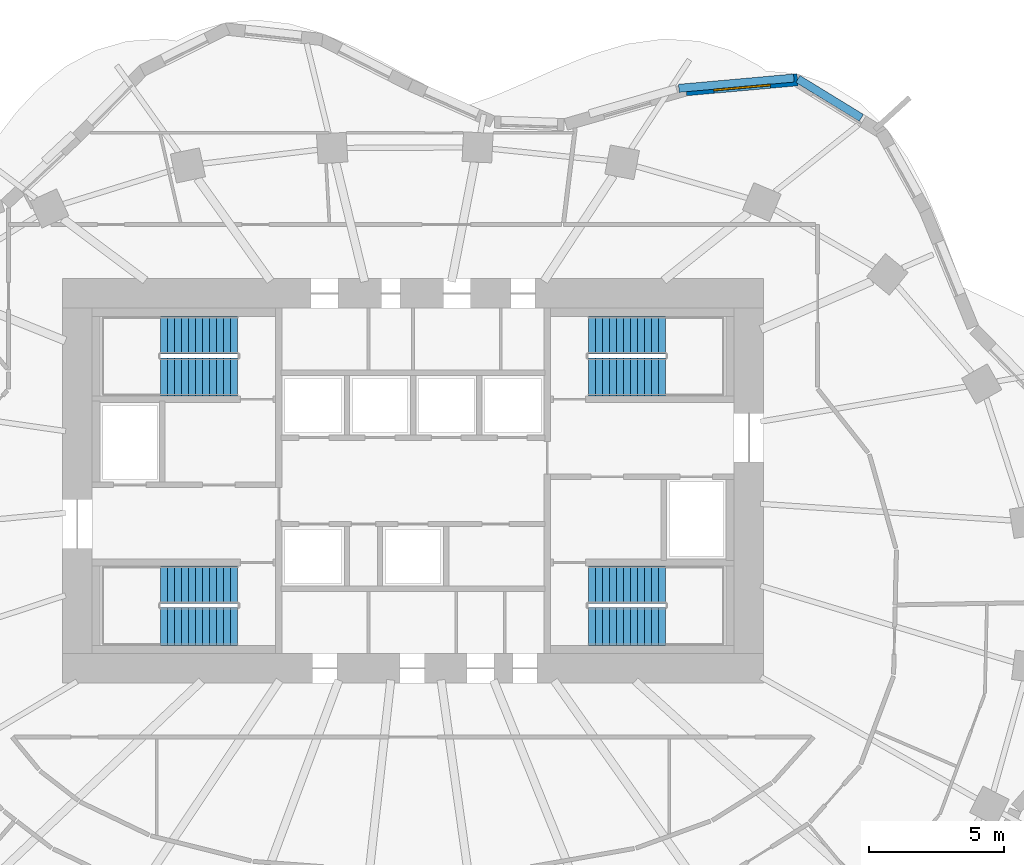
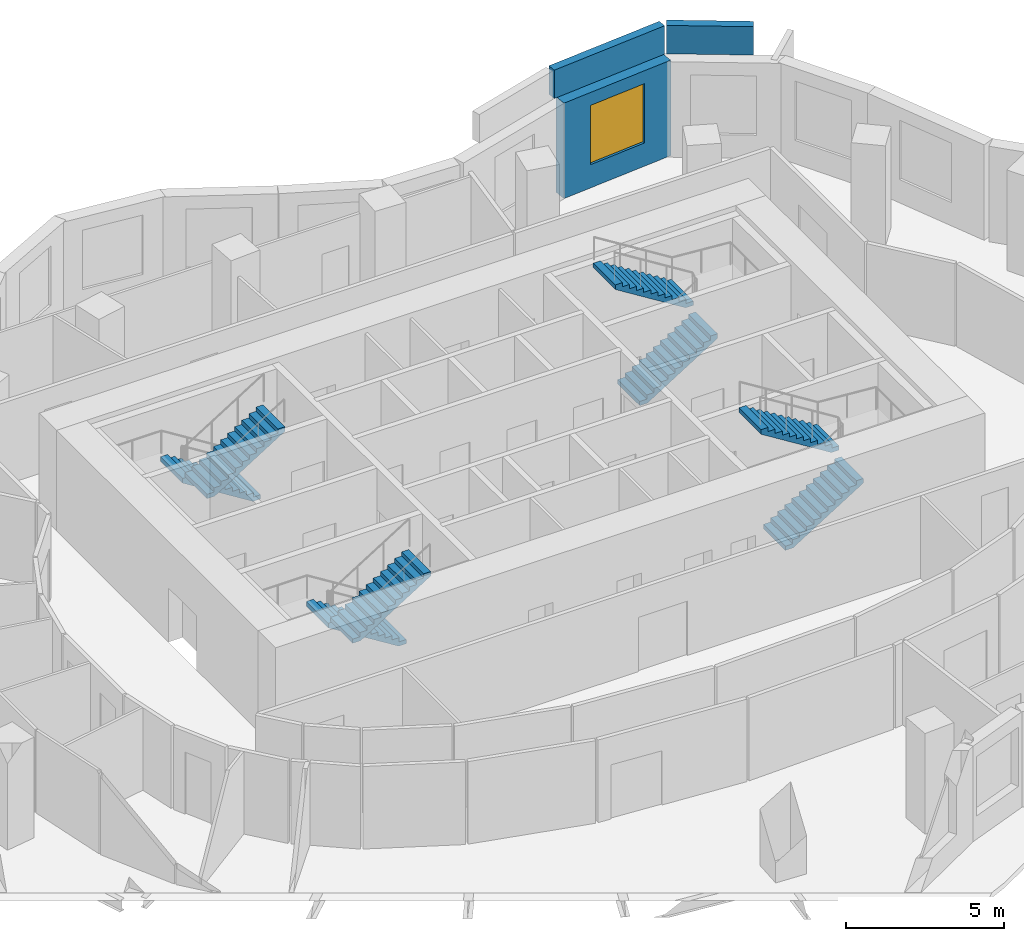
# One storey, part 9 of 10: 8 stair flights, 3 walls, 1 window, 1 opening, 4 elements without a shape of their own.
"""IFC4 building model written with IfcOpenShell, lengths in metres."""

from ifc_helpers import new_model, si_unit, direction, frame, frame_2d, origin, place, context, subcontext, project, spatial, polyline, rectangle, outline, extrude, material, layer, layer_set, type_object, element, fill, aggregate, save


model = new_model("IFC4")

# Units and contexts
model_context = context("Model", 3, precision=1e-05, world=origin(), true_north=direction((0.0, 1.0)))
body_context = subcontext(model_context, "Body", "Model", "MODEL_VIEW")
ifc_project = project(units=[si_unit("LENGTHUNIT", "METRE"), si_unit("AREAUNIT", "SQUARE_METRE"), si_unit("VOLUMEUNIT", "CUBIC_METRE"), si_unit("PLANEANGLEUNIT", "RADIAN"), si_unit("MASSUNIT", "GRAM", prefix="KILO")], contexts=[model_context])

# Site, building, storey
site_placement = place(None, origin())
site = spatial("IfcSite", under=ifc_project, at=site_placement, CompositionType="ELEMENT")
building_placement = place(site_placement, origin())
building = spatial("IfcBuilding", under=site, at=building_placement, Name="Rubra Terraces Tower", CompositionType="ELEMENT")
storey_placement = place(building_placement, frame((0.0, 0.0, 161.699951171875)))
storey = spatial("IfcBuildingStorey", under=building, at=storey_placement, Name="L39", CompositionType="ELEMENT", Elevation=161.699951171875)

# Wall, opening, window
ifc_material_1 = material(Name="Brick masonry red-brown", Category="masonry")
ifc_layer_1 = layer(ifc_material_1, 0.449951171875)
ifc_layer_set_1 = layer_set([ifc_layer_1], Name="Brick masonry red-brown")
wall_type_1 = type_object("IfcWallType", Name="Brick facade wall 450", PredefinedType="SOLIDWALL", material=ifc_layer_set_1)
wall_1_placement = place(storey_placement, frame((14.25390625, 19.367919921875, 0.0), z_axis=(0.0, 0.0, 1.0), x_axis=(-0.996031553729, -0.089000808852, 0.0)))
wall_1 = element("IfcWall", 1, at=wall_1_placement, inside=storey, type_object=wall_type_1, Name="Facade wall L39 bay 7", PredefinedType="SOLIDWALL", context=body_context, shape_type="SweptSolid", body=[
    extrude(rectangle(XDim=4.144775390625, YDim=0.449951171875, at=frame_2d((2.072265625, 0.0))), origin(), (0.0, 0.0, 1.0), 3.699951171875),
])
opening_placement = place(wall_1_placement, frame((1.0224609375, 0.0, 0.89990234375)))
opening = element("IfcOpeningElement", 2, at=opening_placement, cuts=wall_1, Name="Opening W1B", PredefinedType="OPENING", context=body_context, shape_type="SweptSolid", body=[
    extrude(rectangle(XDim=2.10009765625, YDim=2.300048828125, at=frame_2d((1.050048828125, 1.14990234375))), frame((0.0, 0.23486328125, 0.0), z_axis=(0.0, -1.0, 0.0), x_axis=(1.0, 0.0, 0.0)), (0.0, 0.0, 1.0), 0.469970703125),
])
ifc_material_2 = material(Name="Clear glass in aluminium frame", Category="aluminium")
window_type = type_object("IfcWindowType", Name="Fixed deep-set window tall storey 2100 x 2300", PartitioningType="SINGLE_PANEL", PredefinedType="WINDOW", material=ifc_material_2)
window_placement = place(opening_placement, origin())
window = element("IfcWindow", 3, at=window_placement, inside=storey, type_object=window_type, Name="Window L39 bay 7", OverallHeight=2.300048828125, OverallWidth=2.10009765625, PartitioningType="SINGLE_PANEL", PredefinedType="WINDOW", context=body_context, shape_type="SweptSolid", body=[
    extrude(rectangle(XDim=2.10009765625, YDim=2.300048828125, at=frame_2d((1.050048828125, 1.14990234375))), frame((0.0, 0.135009765625, 0.0), z_axis=(0.0, -1.0, 0.0), x_axis=(1.0, 0.0, 0.0)), (0.0, 0.0, 1.0), 0.06005859375),
])
fill(opening, window)

# Walls
ifc_layer_2 = layer(ifc_material_1, 0.300048828125)
ifc_layer_set_2 = layer_set([ifc_layer_2], Name="Brick masonry red-brown")
wall_type_2 = type_object("IfcWallType", Name="Brick parapet 300", PredefinedType="PARAPET", material=ifc_layer_set_2)
wall_2_placement = place(storey_placement, frame((16.617431640625, 17.955322265625, 3.900146484375), z_axis=(0.0, 0.0, 1.0), x_axis=(-0.852620335105, 0.522530921732, 0.0)))
element("IfcWall", 4, at=wall_2_placement, inside=storey, type_object=wall_type_2, Name="Parapet L39 bay 6", PredefinedType="PARAPET", context=body_context, shape_type="SweptSolid", body=[
    extrude(rectangle(XDim=2.758056640625, YDim=0.300048828125, at=frame_2d((1.37890625, 0.0))), origin(), (0.0, 0.0, 1.0), 1.099853515625),
])
wall_3_placement = place(storey_placement, frame((14.11865234375, 19.43115234375, 3.900146484375), z_axis=(0.0, 0.0, 1.0), x_axis=(-0.996029858658, -0.089019776805, 0.0)))
element("IfcWall", 5, at=wall_3_placement, inside=storey, type_object=wall_type_2, Name="Parapet L39 bay 7", PredefinedType="PARAPET", context=body_context, shape_type="SweptSolid", body=[
    extrude(rectangle(XDim=4.283935546875, YDim=0.300048828125, at=frame_2d((2.14208984375, 0.0))), origin(), (0.0, 0.0, 1.0), 1.099853515625),
])

# Stair, stair flights
ifc_material_3 = material(Name="Concrete C40", Category="concrete")
stair_type = type_object("IfcStairType", Name="Core stair 1400", PredefinedType="HALF_TURN_STAIR", material=ifc_material_3)
stair_1_placement = place(storey_placement, origin())
stair_1 = element("IfcStair", 6, at=stair_1_placement, inside=storey, type_object=stair_type, Name="L39 Exit stair S1", PredefinedType="HALF_TURN_STAIR")
stair_flight_type = type_object("IfcStairFlightType", Name="Core stair flight 1400", PredefinedType="STRAIGHT", material=ifc_material_3)
stair_flight_1_placement = place(storey_placement, frame((-6.5, 0.64990234375, 0.0), z_axis=(0.0, 0.0, 1.0), x_axis=(-1.0, 0.0, 0.0)))
stair_flight_1 = element("IfcStairFlight", 7, at=stair_flight_1_placement, type_object=stair_flight_type, Name="S1 flight 1", NumberOfRisers=12, NumberOfTreads=11, PredefinedType="STRAIGHT", RiserHeight=0.1625, TreadLength=0.26, context=body_context, shape_type="SweptSolid", body=[
    extrude(outline(polyline([(0.0, 0.0), (0.0, 0.16259765625), (0.260009765625, 0.16259765625), (0.260009765625, 0.324951171875), (0.52001953125, 0.324951171875), (0.52001953125, 0.487548828125), (0.780029296875, 0.487548828125), (0.780029296875, 0.64990234375), (1.0400390625, 0.64990234375), (1.0400390625, 0.8125), (1.300048828125, 0.8125), (1.300048828125, 0.97509765625), (1.56005859375, 0.97509765625), (1.56005859375, 1.137451171875), (1.820068359375, 1.137451171875), (1.820068359375, 1.300048828125), (2.080078125, 1.300048828125), (2.080078125, 1.46240234375), (2.340087890625, 1.46240234375), (2.340087890625, 1.625), (2.60009765625, 1.625), (2.60009765625, 1.78759765625), (2.860107421875, 1.78759765625), (2.860107421875, 1.949951171875), (2.860107421875, 1.61083984375), (0.28271484375, 0.0), (0.0, 0.0)])), frame((0.0, 0.699951171875, 0.0), z_axis=(0.0, -1.0, 0.0), x_axis=(1.0, 0.0, 0.0)), (0.0, 0.0, 1.0), 1.39990234375),
])
stair_flight_2_placement = place(storey_placement, frame((-9.360107421875, -0.89990234375, 1.949951171875), z_axis=(0.0, 0.0, 1.0), x_axis=(1.0, 0.0, 0.0)))
stair_flight_2 = element("IfcStairFlight", 8, at=stair_flight_2_placement, type_object=stair_flight_type, Name="S1 flight 2", NumberOfRisers=12, NumberOfTreads=11, PredefinedType="STRAIGHT", RiserHeight=0.1625, TreadLength=0.26, context=body_context, shape_type="SweptSolid", body=[
    extrude(outline(polyline([(0.0, 0.0), (0.0, 0.16259765625), (0.260009765625, 0.16259765625), (0.260009765625, 0.324951171875), (0.52001953125, 0.324951171875), (0.52001953125, 0.487548828125), (0.780029296875, 0.487548828125), (0.780029296875, 0.64990234375), (1.0400390625, 0.64990234375), (1.0400390625, 0.8125), (1.300048828125, 0.8125), (1.300048828125, 0.97509765625), (1.56005859375, 0.97509765625), (1.56005859375, 1.137451171875), (1.820068359375, 1.137451171875), (1.820068359375, 1.300048828125), (2.080078125, 1.300048828125), (2.080078125, 1.46240234375), (2.340087890625, 1.46240234375), (2.340087890625, 1.625), (2.60009765625, 1.625), (2.60009765625, 1.78759765625), (2.860107421875, 1.78759765625), (2.860107421875, 1.949951171875), (2.860107421875, 1.61083984375), (0.28271484375, 0.0), (0.0, 0.0)])), frame((0.0, 0.699951171875, 0.0), z_axis=(0.0, -1.0, 0.0), x_axis=(1.0, 0.0, 0.0)), (0.0, 0.0, 1.0), 1.39990234375),
])
aggregate(stair_1, [stair_flight_1, stair_flight_2])

stair_2_placement = place(storey_placement, origin())
stair_2 = element("IfcStair", 9, at=stair_2_placement, inside=storey, type_object=stair_type, Name="L39 Exit stair S2", PredefinedType="HALF_TURN_STAIR")
stair_flight_3_placement = place(storey_placement, frame((-6.5, 9.89990234375, 0.0), z_axis=(0.0, 0.0, 1.0), x_axis=(-1.0, 0.0, 0.0)))
stair_flight_3 = element("IfcStairFlight", 10, at=stair_flight_3_placement, type_object=stair_flight_type, Name="S2 flight 1", NumberOfRisers=12, NumberOfTreads=11, PredefinedType="STRAIGHT", RiserHeight=0.1625, TreadLength=0.26, context=body_context, shape_type="SweptSolid", body=[
    extrude(outline(polyline([(0.0, 0.0), (0.0, 0.16259765625), (0.260009765625, 0.16259765625), (0.260009765625, 0.324951171875), (0.52001953125, 0.324951171875), (0.52001953125, 0.487548828125), (0.780029296875, 0.487548828125), (0.780029296875, 0.64990234375), (1.0400390625, 0.64990234375), (1.0400390625, 0.8125), (1.300048828125, 0.8125), (1.300048828125, 0.97509765625), (1.56005859375, 0.97509765625), (1.56005859375, 1.137451171875), (1.820068359375, 1.137451171875), (1.820068359375, 1.300048828125), (2.080078125, 1.300048828125), (2.080078125, 1.46240234375), (2.340087890625, 1.46240234375), (2.340087890625, 1.625), (2.60009765625, 1.625), (2.60009765625, 1.78759765625), (2.860107421875, 1.78759765625), (2.860107421875, 1.949951171875), (2.860107421875, 1.61083984375), (0.28271484375, 0.0), (0.0, 0.0)])), frame((0.0, 0.699951171875, 0.0), z_axis=(0.0, -1.0, 0.0), x_axis=(1.0, 0.0, 0.0)), (0.0, 0.0, 1.0), 1.39990234375),
])
stair_flight_4_placement = place(storey_placement, frame((-9.360107421875, 8.35009765625, 1.949951171875), z_axis=(0.0, 0.0, 1.0), x_axis=(1.0, 0.0, 0.0)))
stair_flight_4 = element("IfcStairFlight", 11, at=stair_flight_4_placement, type_object=stair_flight_type, Name="S2 flight 2", NumberOfRisers=12, NumberOfTreads=11, PredefinedType="STRAIGHT", RiserHeight=0.1625, TreadLength=0.26, context=body_context, shape_type="SweptSolid", body=[
    extrude(outline(polyline([(0.0, 0.0), (0.0, 0.16259765625), (0.260009765625, 0.16259765625), (0.260009765625, 0.324951171875), (0.52001953125, 0.324951171875), (0.52001953125, 0.487548828125), (0.780029296875, 0.487548828125), (0.780029296875, 0.64990234375), (1.0400390625, 0.64990234375), (1.0400390625, 0.8125), (1.300048828125, 0.8125), (1.300048828125, 0.97509765625), (1.56005859375, 0.97509765625), (1.56005859375, 1.137451171875), (1.820068359375, 1.137451171875), (1.820068359375, 1.300048828125), (2.080078125, 1.300048828125), (2.080078125, 1.46240234375), (2.340087890625, 1.46240234375), (2.340087890625, 1.625), (2.60009765625, 1.625), (2.60009765625, 1.78759765625), (2.860107421875, 1.78759765625), (2.860107421875, 1.949951171875), (2.860107421875, 1.61083984375), (0.28271484375, 0.0), (0.0, 0.0)])), frame((0.0, 0.699951171875, 0.0), z_axis=(0.0, -1.0, 0.0), x_axis=(1.0, 0.0, 0.0)), (0.0, 0.0, 1.0), 1.39990234375),
])
aggregate(stair_2, [stair_flight_3, stair_flight_4])

stair_3_placement = place(storey_placement, origin())
stair_3 = element("IfcStair", 12, at=stair_3_placement, inside=storey, type_object=stair_type, Name="L39 Exit stair S3", PredefinedType="HALF_TURN_STAIR")
stair_flight_5_placement = place(storey_placement, frame((6.5, 8.35009765625, 0.0), z_axis=(0.0, 0.0, 1.0), x_axis=(1.0, 0.0, 0.0)))
stair_flight_5 = element("IfcStairFlight", 13, at=stair_flight_5_placement, type_object=stair_flight_type, Name="S3 flight 1", NumberOfRisers=12, NumberOfTreads=11, PredefinedType="STRAIGHT", RiserHeight=0.1625, TreadLength=0.26, context=body_context, shape_type="SweptSolid", body=[
    extrude(outline(polyline([(0.0, 0.0), (0.0, 0.16259765625), (0.260009765625, 0.16259765625), (0.260009765625, 0.324951171875), (0.52001953125, 0.324951171875), (0.52001953125, 0.487548828125), (0.780029296875, 0.487548828125), (0.780029296875, 0.64990234375), (1.0400390625, 0.64990234375), (1.0400390625, 0.8125), (1.300048828125, 0.8125), (1.300048828125, 0.97509765625), (1.56005859375, 0.97509765625), (1.56005859375, 1.137451171875), (1.820068359375, 1.137451171875), (1.820068359375, 1.300048828125), (2.080078125, 1.300048828125), (2.080078125, 1.46240234375), (2.340087890625, 1.46240234375), (2.340087890625, 1.625), (2.60009765625, 1.625), (2.60009765625, 1.78759765625), (2.860107421875, 1.78759765625), (2.860107421875, 1.949951171875), (2.860107421875, 1.61083984375), (0.28271484375, 0.0), (0.0, 0.0)])), frame((0.0, 0.699951171875, 0.0), z_axis=(0.0, -1.0, 0.0), x_axis=(1.0, 0.0, 0.0)), (0.0, 0.0, 1.0), 1.39990234375),
])
stair_flight_6_placement = place(storey_placement, frame((9.360107421875, 9.89990234375, 1.949951171875), z_axis=(0.0, 0.0, 1.0), x_axis=(-1.0, 0.0, 0.0)))
stair_flight_6 = element("IfcStairFlight", 14, at=stair_flight_6_placement, type_object=stair_flight_type, Name="S3 flight 2", NumberOfRisers=12, NumberOfTreads=11, PredefinedType="STRAIGHT", RiserHeight=0.1625, TreadLength=0.26, context=body_context, shape_type="SweptSolid", body=[
    extrude(outline(polyline([(0.0, 0.0), (0.0, 0.16259765625), (0.260009765625, 0.16259765625), (0.260009765625, 0.324951171875), (0.52001953125, 0.324951171875), (0.52001953125, 0.487548828125), (0.780029296875, 0.487548828125), (0.780029296875, 0.64990234375), (1.0400390625, 0.64990234375), (1.0400390625, 0.8125), (1.300048828125, 0.8125), (1.300048828125, 0.97509765625), (1.56005859375, 0.97509765625), (1.56005859375, 1.137451171875), (1.820068359375, 1.137451171875), (1.820068359375, 1.300048828125), (2.080078125, 1.300048828125), (2.080078125, 1.46240234375), (2.340087890625, 1.46240234375), (2.340087890625, 1.625), (2.60009765625, 1.625), (2.60009765625, 1.78759765625), (2.860107421875, 1.78759765625), (2.860107421875, 1.949951171875), (2.860107421875, 1.61083984375), (0.28271484375, 0.0), (0.0, 0.0)])), frame((0.0, 0.699951171875, 0.0), z_axis=(0.0, -1.0, 0.0), x_axis=(1.0, 0.0, 0.0)), (0.0, 0.0, 1.0), 1.39990234375),
])
aggregate(stair_3, [stair_flight_5, stair_flight_6])

stair_4_placement = place(storey_placement, origin())
stair_4 = element("IfcStair", 15, at=stair_4_placement, inside=storey, type_object=stair_type, Name="L39 Exit stair S4", PredefinedType="HALF_TURN_STAIR")
stair_flight_7_placement = place(storey_placement, frame((6.5, -0.89990234375, 0.0), z_axis=(0.0, 0.0, 1.0), x_axis=(1.0, 0.0, 0.0)))
stair_flight_7 = element("IfcStairFlight", 16, at=stair_flight_7_placement, type_object=stair_flight_type, Name="S4 flight 1", NumberOfRisers=12, NumberOfTreads=11, PredefinedType="STRAIGHT", RiserHeight=0.1625, TreadLength=0.26, context=body_context, shape_type="SweptSolid", body=[
    extrude(outline(polyline([(0.0, 0.0), (0.0, 0.16259765625), (0.260009765625, 0.16259765625), (0.260009765625, 0.324951171875), (0.52001953125, 0.324951171875), (0.52001953125, 0.487548828125), (0.780029296875, 0.487548828125), (0.780029296875, 0.64990234375), (1.0400390625, 0.64990234375), (1.0400390625, 0.8125), (1.300048828125, 0.8125), (1.300048828125, 0.97509765625), (1.56005859375, 0.97509765625), (1.56005859375, 1.137451171875), (1.820068359375, 1.137451171875), (1.820068359375, 1.300048828125), (2.080078125, 1.300048828125), (2.080078125, 1.46240234375), (2.340087890625, 1.46240234375), (2.340087890625, 1.625), (2.60009765625, 1.625), (2.60009765625, 1.78759765625), (2.860107421875, 1.78759765625), (2.860107421875, 1.949951171875), (2.860107421875, 1.61083984375), (0.28271484375, 0.0), (0.0, 0.0)])), frame((0.0, 0.699951171875, 0.0), z_axis=(0.0, -1.0, 0.0), x_axis=(1.0, 0.0, 0.0)), (0.0, 0.0, 1.0), 1.39990234375),
])
stair_flight_8_placement = place(storey_placement, frame((9.360107421875, 0.64990234375, 1.949951171875), z_axis=(0.0, 0.0, 1.0), x_axis=(-1.0, 0.0, 0.0)))
stair_flight_8 = element("IfcStairFlight", 17, at=stair_flight_8_placement, type_object=stair_flight_type, Name="S4 flight 2", NumberOfRisers=12, NumberOfTreads=11, PredefinedType="STRAIGHT", RiserHeight=0.1625, TreadLength=0.26, context=body_context, shape_type="SweptSolid", body=[
    extrude(outline(polyline([(0.0, 0.0), (0.0, 0.16259765625), (0.260009765625, 0.16259765625), (0.260009765625, 0.324951171875), (0.52001953125, 0.324951171875), (0.52001953125, 0.487548828125), (0.780029296875, 0.487548828125), (0.780029296875, 0.64990234375), (1.0400390625, 0.64990234375), (1.0400390625, 0.8125), (1.300048828125, 0.8125), (1.300048828125, 0.97509765625), (1.56005859375, 0.97509765625), (1.56005859375, 1.137451171875), (1.820068359375, 1.137451171875), (1.820068359375, 1.300048828125), (2.080078125, 1.300048828125), (2.080078125, 1.46240234375), (2.340087890625, 1.46240234375), (2.340087890625, 1.625), (2.60009765625, 1.625), (2.60009765625, 1.78759765625), (2.860107421875, 1.78759765625), (2.860107421875, 1.949951171875), (2.860107421875, 1.61083984375), (0.28271484375, 0.0), (0.0, 0.0)])), frame((0.0, 0.699951171875, 0.0), z_axis=(0.0, -1.0, 0.0), x_axis=(1.0, 0.0, 0.0)), (0.0, 0.0, 1.0), 1.39990234375),
])
aggregate(stair_4, [stair_flight_7, stair_flight_8])

save(model, "model.ifc")
